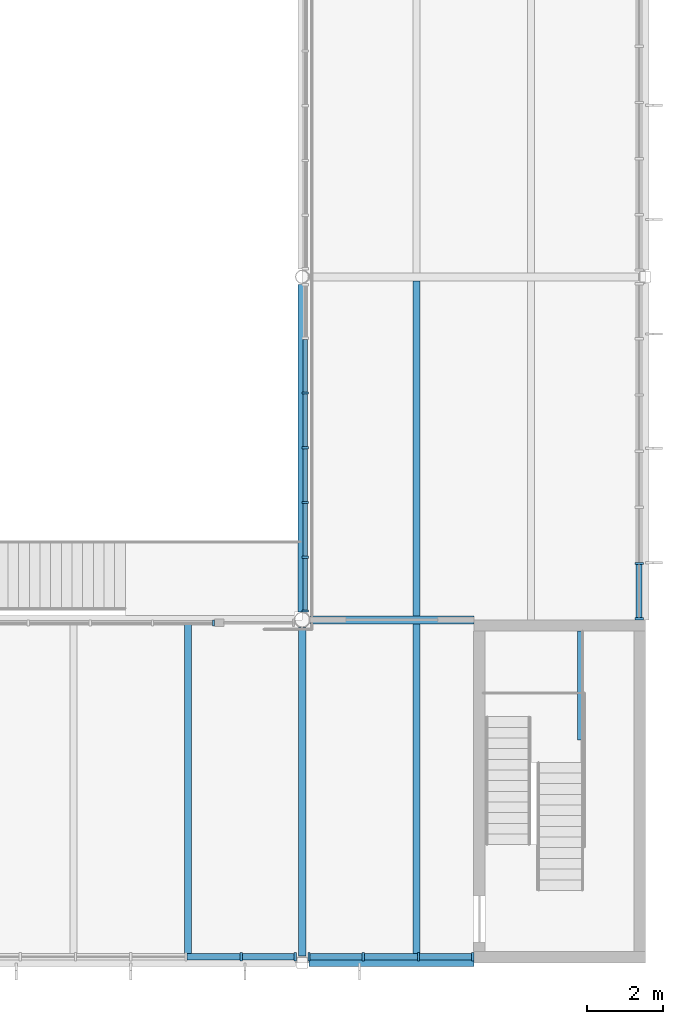
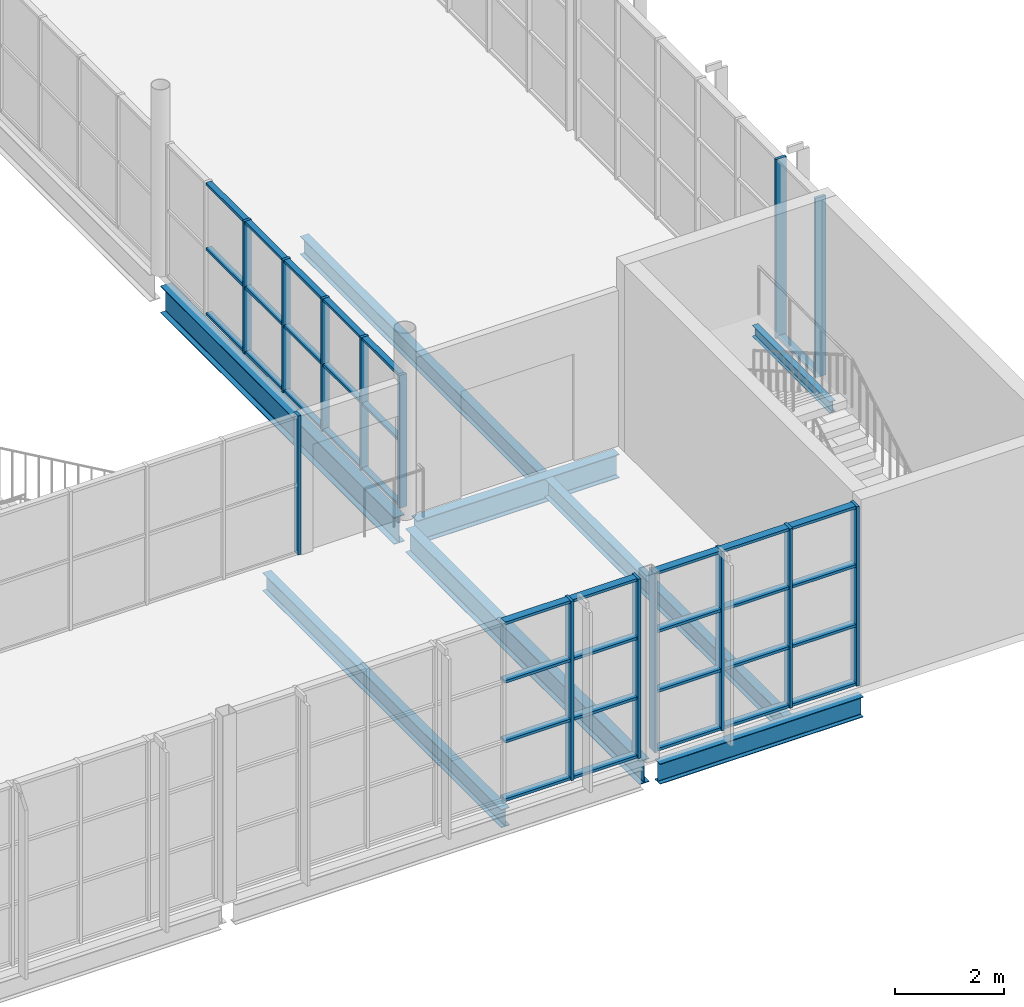
# One storey, part 18 of 57: 50 members, 8 beams, 5 elements without a shape of their own.
"""IFC4 building model written with IfcOpenShell, lengths in metres."""

import ifcopenshell
import ifcopenshell.guid

model = None  # the IFC model being written
_history = None  # IfcOwnerHistory: only IFC2X3 demands one
_inside = {}  # id of a spatial element -> (the spatial element, [elements in it])
_under = {}  # id of a project, library or spatial element -> (it, [spatial elements below it])
_declared = {}  # id of a project -> (the project, [libraries it declares])
_typed = {}  # id of a type object -> (the type object, [elements of that type])
_made_of = {}  # id of a material, layer set ... -> (it, [elements and type objects made of it])


def new_model(schema):
    """Start an empty IFC model of exactly this schema.

    Asked for "IFC4X3", IfcOpenShell would pick the latest addendum, in which some entities
    have other attributes; the version numbers below select the first issue.
    IFC2X3 requires an IfcOwnerHistory on every rooted entity: one is made here for all.
    """
    global model, _history
    if schema == "IFC4X3":
        model = ifcopenshell.file(schema_version=(4, 3, 0, 0))
    else:
        model = ifcopenshell.file(schema=schema)
    _inside.clear()
    _under.clear()
    _declared.clear()
    _typed.clear()
    _made_of.clear()
    _history = None
    if model.schema == "IFC2X3":
        org = make("IfcOrganization", Name="unknown")
        user = make(
            "IfcPersonAndOrganization",
            ThePerson=make("IfcPerson", FamilyName="unknown"),
            TheOrganization=org,
        )
        app = make(
            "IfcApplication",
            ApplicationDeveloper=org,
            Version="unknown",
            ApplicationFullName="unknown",
            ApplicationIdentifier="unknown",
        )
        _history = make(
            "IfcOwnerHistory",
            OwningUser=user,
            OwningApplication=app,
            ChangeAction="ADDED",
            CreationDate=0,
        )
    return model


def make(cls, **values):
    """One entity of the class cls with the attributes given. An attribute that is None is left unset."""
    return model.create_entity(
        cls, **{name: value for name, value in values.items() if value is not None}
    )


def rooted(cls, **values):
    """An entity with a GlobalId (a new one), such as an element, a storey or a relation."""
    return make(cls, GlobalId=ifcopenshell.guid.new(), OwnerHistory=_history, **values)


def si_unit(unit_type, name, prefix=None):
    """IfcSIUnit, for example si_unit("LENGTHUNIT", "METRE", prefix="MILLI")."""
    return make("IfcSIUnit", UnitType=unit_type, Prefix=prefix, Name=name)


def assignment(units):
    """IfcUnitAssignment: the units of a project."""
    return None if units is None else make("IfcUnitAssignment", Units=units)


def point(xyz):
    """IfcCartesianPoint."""
    return None if xyz is None else make("IfcCartesianPoint", Coordinates=xyz)


def direction(xyz):
    """IfcDirection."""
    return None if xyz is None else make("IfcDirection", DirectionRatios=xyz)


def frame(location, z_axis=None, x_axis=None):
    """IfcAxis2Placement3D, a coordinate frame: its origin and axes. An axis left out is left unset."""
    return make(
        "IfcAxis2Placement3D",
        Location=point(location),
        Axis=direction(z_axis),
        RefDirection=direction(x_axis),
    )


def frame_2d(location, x_axis=None):
    """IfcAxis2Placement2D, a coordinate frame in the plane: its origin and x axis."""
    return make(
        "IfcAxis2Placement2D", Location=point(location), RefDirection=direction(x_axis)
    )


def origin():
    """The frame at (0, 0, 0) with its axes left unset."""
    return frame((0.0, 0.0, 0.0))


def origin_2d():
    """The frame at (0, 0) in the plane with its x axis left unset."""
    return frame_2d((0.0, 0.0))


def place(relative_to, where):
    """IfcLocalPlacement: puts the frame where relative to a parent placement (None: the world)."""
    return make(
        "IfcLocalPlacement", PlacementRelTo=relative_to, RelativePlacement=where
    )


def context(
    kind, dimensions, precision=None, world=None, true_north=None, identifier=None
):
    """IfcGeometricRepresentationContext, for example the 3D "Model" context."""
    return make(
        "IfcGeometricRepresentationContext",
        ContextIdentifier=identifier,
        ContextType=kind,
        CoordinateSpaceDimension=dimensions,
        Precision=precision,
        WorldCoordinateSystem=world,
        TrueNorth=true_north,
    )


def subcontext(parent, identifier, kind, view, scale=None):
    """IfcGeometricRepresentationSubContext, for example "Body" below "Model"."""
    return make(
        "IfcGeometricRepresentationSubContext",
        ContextIdentifier=identifier,
        ContextType=kind,
        ParentContext=parent,
        TargetScale=scale,
        TargetView=view,
    )


def project(units=None, contexts=None):
    """IfcProject with its units and contexts."""
    return rooted(
        "IfcProject",
        Name="project",
        RepresentationContexts=contexts,
        UnitsInContext=assignment(units),
    )


def spatial(cls, under=None, at=None, **own):
    """A site, building, storey or space (cls), placed at a placement, below another one or the project."""
    s = rooted(cls, ObjectPlacement=at, **own)
    if under is not None:
        _under.setdefault(under.id(), (under, []))[1].append(s)
    return s


def profile(cls, at=None, kind="AREA", **sizes):
    """A parametric profile (cls). Its sizes go by their IFC names, for example OverallWidth=200.0."""
    return make(cls, ProfileType=kind, Position=at, **sizes)


def rectangle(**sizes):
    """IfcRectangleProfileDef."""
    return profile("IfcRectangleProfileDef", **sizes)


def i_section(**sizes):
    """IfcIShapeProfileDef."""
    return profile("IfcIShapeProfileDef", **sizes)


def extrude(swept, where, along, depth):
    """IfcExtrudedAreaSolid: the profile swept, set in the frame where, extruded along a direction by depth."""
    return make(
        "IfcExtrudedAreaSolid",
        SweptArea=swept,
        Position=where,
        ExtrudedDirection=direction(along),
        Depth=depth,
    )


def shape(context_of_items, identifier, shape_type, items):
    """IfcShapeRepresentation: the items that make up one representation, for example the "Body"."""
    return make(
        "IfcShapeRepresentation",
        ContextOfItems=context_of_items,
        RepresentationIdentifier=identifier,
        RepresentationType=shape_type,
        Items=items,
    )


def material(Name=None, Category=None):
    """IfcMaterial."""
    return make("IfcMaterial", Name=Name, Category=Category)


def layer(
    of_material, thickness, ventilated=None, Name=None, Category=None, Priority=None
):
    """IfcMaterialLayer: one layer of a wall or slab, of a material (None: an air gap)."""
    return make(
        "IfcMaterialLayer",
        Material=of_material,
        LayerThickness=thickness,
        IsVentilated=ventilated,
        Name=Name,
        Category=Category,
        Priority=Priority,
    )


def layer_set(layers, Name=None):
    """IfcMaterialLayerSet."""
    return make("IfcMaterialLayerSet", MaterialLayers=layers, LayerSetName=Name)


def material_profile(
    of_material, cross_section, Name=None, Category=None, Priority=None
):
    """IfcMaterialProfile: a cross section and its material."""
    return make(
        "IfcMaterialProfile",
        Name=Name,
        Material=of_material,
        Profile=cross_section,
        Priority=Priority,
        Category=Category,
    )


def profile_set(profiles, Name=None, composite=None):
    """IfcMaterialProfileSet."""
    return make(
        "IfcMaterialProfileSet",
        Name=Name,
        MaterialProfiles=profiles,
        CompositeProfile=composite,
    )


def made_of(thing, what):
    """Note that an element or type object is made of a material, layer set ...; save() writes the relation."""
    if what is not None:
        _made_of.setdefault(what.id(), (what, []))[1].append(thing)
    return thing


def type_object(cls, material=None, **own):
    """A type object (cls), such as IfcWallType, which elements share."""
    return made_of(rooted(cls, **own), material)


def element(
    cls,
    number,
    at=None,
    inside=None,
    cuts=None,
    type_object=None,
    material=None,
    context=None,
    identifier="Body",
    shape_type=None,
    held_by="IfcProductDefinitionShape",
    body=None,
    shapes=None,
    **own,
):
    """One element of the class cls, such as IfcWall. Its Tag is "e" and its number.

    at: its placement. inside: the storey or other place that contains it. cuts: it is an
    opening in that element (IfcRelVoidsElement). A single representation is given by context,
    identifier, shape_type and body (its items); several are given by shapes. held_by: the class
    of the entity that holds the representations. save() writes the other relations.
    """
    e = rooted(cls, Tag="e%d" % number, ObjectPlacement=at, **own)
    if body is not None:
        shapes = [shape(context, identifier, shape_type, body)]
    if shapes is not None:
        e.Representation = make(held_by, Representations=shapes)
    if inside is not None:
        _inside.setdefault(inside.id(), (inside, []))[1].append(e)
    if cuts is not None:
        rooted(
            "IfcRelVoidsElement", RelatingBuildingElement=cuts, RelatedOpeningElement=e
        )
    if type_object is not None:
        _typed.setdefault(type_object.id(), (type_object, []))[1].append(e)
    return made_of(e, material)


def aggregate(whole, parts):
    """IfcRelAggregates: a whole, such as a stair, and the parts it consists of."""
    return rooted("IfcRelAggregates", RelatingObject=whole, RelatedObjects=parts)


def save(model, path):
    """Write the relations noted so far, then the file.

    IfcRelAggregates (storeys below a building ...), IfcRelContainedInSpatialStructure (elements
    in a storey), IfcRelDefinesByType, IfcRelAssociatesMaterial and IfcRelDeclares: one each for
    every whole, place, type object, material and project.
    """
    for whole, parts in _under.values():
        aggregate(whole, parts)
    for where, things in _inside.values():
        rooted(
            "IfcRelContainedInSpatialStructure",
            RelatedElements=things,
            RelatingStructure=where,
        )
    for kind, things in _typed.values():
        rooted("IfcRelDefinesByType", RelatedObjects=things, RelatingType=kind)
    for what, things in _made_of.values():
        rooted("IfcRelAssociatesMaterial", RelatedObjects=things, RelatingMaterial=what)
    for by, libraries in _declared.values():
        rooted("IfcRelDeclares", RelatingContext=by, RelatedDefinitions=libraries)
    model.write(path)


model = new_model("IFC4")

# Units and contexts
model_context = context("Model", 3, precision=1e-05, world=origin(), true_north=direction((0.0, 1.0)))
body_context = subcontext(model_context, "Body", "Model", "MODEL_VIEW")
ifc_project = project(units=[si_unit("LENGTHUNIT", "METRE"), si_unit("AREAUNIT", "SQUARE_METRE"), si_unit("VOLUMEUNIT", "CUBIC_METRE"), si_unit("PLANEANGLEUNIT", "RADIAN"), si_unit("MASSUNIT", "GRAM", prefix="KILO")], contexts=[model_context])

# Site, building, storey
site_placement = place(None, origin())
site = spatial("IfcSite", under=ifc_project, at=site_placement, CompositionType="ELEMENT")
building_placement = place(site_placement, origin())
building = spatial("IfcBuilding", under=site, at=building_placement, Name="Halyard Row Museum", CompositionType="ELEMENT")
storey_placement = place(building_placement, frame((0.0, 0.0, 5.0)))
storey = spatial("IfcBuildingStorey", under=building, at=storey_placement, Name="L01", CompositionType="ELEMENT", Elevation=5.0)

# Curtain wall, members
ifc_material_1 = material(Name="Double glazed unit, low-emissivity", Category="glass")
ifc_layer_1 = layer(ifc_material_1, 0.219970703125)
ifc_layer_set_1 = layer_set([ifc_layer_1], Name="Double glazed unit, low-emissivity")
curtain_wall_type_1 = type_object("IfcCurtainWallType", Name="Curtain wall unitised 220 deep", PredefinedType="NOTDEFINED", material=ifc_layer_set_1)
curtain_wall_1_placement = place(storey_placement, origin())
curtain_wall_1 = element("IfcCurtainWall", 1, at=curtain_wall_1_placement, inside=storey, type_object=curtain_wall_type_1, Name="Curtain wall CW020", PredefinedType="NOTDEFINED")
ifc_material_2 = material(Name="Powder-coated aluminium section", Category="aluminium")
ifc_material_profile_1 = material_profile(ifc_material_2, rectangle(XDim=0.219970703125, YDim=0.06005859375, at=origin_2d()), Name="220x60 mullion")
ifc_profile_set_1 = profile_set([ifc_material_profile_1], Name="Powder-coated aluminium section")
member_type_1 = type_object("IfcMemberType", Name="Curtain wall mullion CM3 60 x 220", PredefinedType="MULLION", material=ifc_profile_set_1)
member_1_placement = place(storey_placement, frame((107.840087890625, 9.030029296875, 0.0), z_axis=(0.0, 0.0, 1.0), x_axis=(-1.0, 0.0, 0.0)))
member_1 = element("IfcMember", 2, at=member_1_placement, type_object=member_type_1, Name="CW020 mullion 1", PredefinedType="MULLION", context=body_context, shape_type="SweptSolid", body=[
    extrude(rectangle(XDim=0.219970703125, YDim=0.06005859375, at=origin_2d()), origin(), (0.0, 0.0, 1.0), 4.034912109375),
])
member_2_placement = place(storey_placement, frame((107.840087890625, 10.47509765625, 0.0), z_axis=(0.0, 0.0, 1.0), x_axis=(-1.0, 0.0, 0.0)))
member_2 = element("IfcMember", 3, at=member_2_placement, type_object=member_type_1, Name="CW020 mullion 2", PredefinedType="MULLION", context=body_context, shape_type="SweptSolid", body=[
    extrude(rectangle(XDim=0.219970703125, YDim=0.06005859375, at=origin_2d()), origin(), (0.0, 0.0, 1.0), 4.034912109375),
])

curtain_wall_2_placement = place(storey_placement, origin())
curtain_wall_2 = element("IfcCurtainWall", 4, at=curtain_wall_2_placement, inside=storey, type_object=curtain_wall_type_1, Name="Curtain wall CW026", PredefinedType="NOTDEFINED")
member_3_placement = place(storey_placement, frame((97.39990234375, 0.159912109375, 0.0), z_axis=(0.0, 0.0, 1.0), x_axis=(0.0, 1.0, 0.0)))
member_3 = element("IfcMember", 5, at=member_3_placement, type_object=member_type_1, Name="CW026 mullion 6", PredefinedType="MULLION", context=body_context, shape_type="SweptSolid", body=[
    extrude(rectangle(XDim=0.219970703125, YDim=0.06005859375, at=origin_2d()), origin(), (0.0, 0.0, 1.0), 4.034912109375),
])
member_4_placement = place(storey_placement, frame((98.820068359375, 0.159912109375, 0.0), z_axis=(0.0, 0.0, 1.0), x_axis=(0.0, 1.0, 0.0)))
member_4 = element("IfcMember", 6, at=member_4_placement, type_object=member_type_1, Name="CW026 mullion 7", PredefinedType="MULLION", context=body_context, shape_type="SweptSolid", body=[
    extrude(rectangle(XDim=0.219970703125, YDim=0.06005859375, at=origin_2d()), origin(), (0.0, 0.0, 1.0), 4.034912109375),
])

curtain_wall_3_placement = place(storey_placement, origin())
curtain_wall_3 = element("IfcCurtainWall", 7, at=curtain_wall_3_placement, inside=storey, type_object=curtain_wall_type_1, Name="Curtain wall CW027", PredefinedType="NOTDEFINED")
member_5_placement = place(storey_placement, frame((99.179931640625, 0.159912109375, 0.0), z_axis=(0.0, 0.0, 1.0), x_axis=(0.0, 1.0, 0.0)))
member_5 = element("IfcMember", 8, at=member_5_placement, type_object=member_type_1, Name="CW027 mullion 1", PredefinedType="MULLION", context=body_context, shape_type="SweptSolid", body=[
    extrude(rectangle(XDim=0.219970703125, YDim=0.06005859375, at=origin_2d()), origin(), (0.0, 0.0, 1.0), 4.034912109375),
])
member_6_placement = place(storey_placement, frame((100.60009765625, 0.159912109375, 0.0), z_axis=(0.0, 0.0, 1.0), x_axis=(0.0, 1.0, 0.0)))
member_6 = element("IfcMember", 9, at=member_6_placement, type_object=member_type_1, Name="CW027 mullion 2", PredefinedType="MULLION", context=body_context, shape_type="SweptSolid", body=[
    extrude(rectangle(XDim=0.219970703125, YDim=0.06005859375, at=origin_2d()), origin(), (0.0, 0.0, 1.0), 4.034912109375),
])
member_7_placement = place(storey_placement, frame((102.050048828125, 0.159912109375, 0.0), z_axis=(0.0, 0.0, 1.0), x_axis=(0.0, 1.0, 0.0)))
member_7 = element("IfcMember", 10, at=member_7_placement, type_object=member_type_1, Name="CW027 mullion 3", PredefinedType="MULLION", context=body_context, shape_type="SweptSolid", body=[
    extrude(rectangle(XDim=0.219970703125, YDim=0.06005859375, at=origin_2d()), origin(), (0.0, 0.0, 1.0), 4.034912109375),
])
member_8_placement = place(storey_placement, frame((103.469970703125, 0.159912109375, 0.0), z_axis=(0.0, 0.0, 1.0), x_axis=(0.0, 1.0, 0.0)))
member_8 = element("IfcMember", 11, at=member_8_placement, type_object=member_type_1, Name="CW027 mullion 4", PredefinedType="MULLION", context=body_context, shape_type="SweptSolid", body=[
    extrude(rectangle(XDim=0.219970703125, YDim=0.06005859375, at=origin_2d()), origin(), (0.0, 0.0, 1.0), 4.034912109375),
])

# Curtain wall, member
ifc_material_3 = material(Name="Fire-resisting laminated glazing", Category="glass")
ifc_layer_2 = layer(ifc_material_3, 0.159912109375)
ifc_layer_set_2 = layer_set([ifc_layer_2], Name="Fire-resisting laminated glazing")
curtain_wall_type_2 = type_object("IfcCurtainWallType", Name="Curtain wall atrium screen 160 deep", PredefinedType="NOTDEFINED", material=ifc_layer_set_2)
curtain_wall_4_placement = place(storey_placement, origin())
curtain_wall_4 = element("IfcCurtainWall", 12, at=curtain_wall_4_placement, inside=storey, type_object=curtain_wall_type_2, Name="Curtain wall CW077", PredefinedType="NOTDEFINED")
ifc_material_4 = material(Name="Powder-coated aluminium section", Category="aluminium")
ifc_material_profile_2 = material_profile(ifc_material_4, rectangle(XDim=0.159912109375, YDim=0.06005859375, at=origin_2d()), Name="160x60 mullion")
ifc_profile_set_2 = profile_set([ifc_material_profile_2], Name="Powder-coated aluminium section")
member_type_2 = type_object("IfcMemberType", Name="Curtain wall mullion CM5 60 x 160", PredefinedType="MULLION", material=ifc_profile_set_2)
member_9_placement = place(storey_placement, frame((96.669921875, 8.919921875, 0.0), z_axis=(0.0, 0.0, 1.0), x_axis=(0.0, 1.0, 0.0)))
member_9 = element("IfcMember", 13, at=member_9_placement, type_object=member_type_2, Name="CW077 mullion 5", PredefinedType="MULLION", context=body_context, shape_type="SweptSolid", body=[
    extrude(rectangle(XDim=0.159912109375, YDim=0.06005859375, at=origin_2d()), origin(), (0.0, 0.0, 1.0), 3.12451171875),
])
aggregate(curtain_wall_4, [member_9])

# Curtain wall, members
curtain_wall_5_placement = place(storey_placement, origin())
curtain_wall_5 = element("IfcCurtainWall", 14, at=curtain_wall_5_placement, inside=storey, type_object=curtain_wall_type_2, Name="Curtain wall CW078", PredefinedType="NOTDEFINED")
member_10_placement = place(storey_placement, frame((99.080078125, 9.233154296875, 0.0), z_axis=(0.0, 0.0, 1.0), x_axis=(-1.0, 0.0, 0.0)))
member_10 = element("IfcMember", 15, at=member_10_placement, type_object=member_type_2, Name="CW078 mullion 1", PredefinedType="MULLION", context=body_context, shape_type="SweptSolid", body=[
    extrude(rectangle(XDim=0.159912109375, YDim=0.06005859375, at=origin_2d()), origin(), (0.0, 0.0, 1.0), 2.985107421875),
])
member_11_placement = place(storey_placement, frame((99.080078125, 10.6396484375, 0.0), z_axis=(0.0, 0.0, 1.0), x_axis=(-1.0, 0.0, 0.0)))
member_11 = element("IfcMember", 16, at=member_11_placement, type_object=member_type_2, Name="CW078 mullion 2", PredefinedType="MULLION", context=body_context, shape_type="SweptSolid", body=[
    extrude(rectangle(XDim=0.159912109375, YDim=0.06005859375, at=origin_2d()), origin(), (0.0, 0.0, 1.0), 2.985107421875),
])
member_12_placement = place(storey_placement, frame((99.080078125, 12.076171875, 0.0), z_axis=(0.0, 0.0, 1.0), x_axis=(-1.0, 0.0, 0.0)))
member_12 = element("IfcMember", 17, at=member_12_placement, type_object=member_type_2, Name="CW078 mullion 3", PredefinedType="MULLION", context=body_context, shape_type="SweptSolid", body=[
    extrude(rectangle(XDim=0.159912109375, YDim=0.06005859375, at=origin_2d()), origin(), (0.0, 0.0, 1.0), 2.985107421875),
])
member_13_placement = place(storey_placement, frame((99.080078125, 13.5126953125, 0.0), z_axis=(0.0, 0.0, 1.0), x_axis=(-1.0, 0.0, 0.0)))
member_13 = element("IfcMember", 18, at=member_13_placement, type_object=member_type_2, Name="CW078 mullion 4", PredefinedType="MULLION", context=body_context, shape_type="SweptSolid", body=[
    extrude(rectangle(XDim=0.159912109375, YDim=0.06005859375, at=origin_2d()), origin(), (0.0, 0.0, 1.0), 2.985107421875),
])
member_14_placement = place(storey_placement, frame((99.080078125, 14.94921875, 0.0), z_axis=(0.0, 0.0, 1.0), x_axis=(-1.0, 0.0, 0.0)))
member_14 = element("IfcMember", 19, at=member_14_placement, type_object=member_type_2, Name="CW078 mullion 5", PredefinedType="MULLION", context=body_context, shape_type="SweptSolid", body=[
    extrude(rectangle(XDim=0.159912109375, YDim=0.06005859375, at=origin_2d()), origin(), (0.0, 0.0, 1.0), 2.985107421875),
])

# Member
ifc_material_5 = material(Name="Powder-coated aluminium section", Category="aluminium")
ifc_material_profile_3 = material_profile(ifc_material_5, rectangle(XDim=0.159912109375, YDim=0.06005859375, at=origin_2d()), Name="160x60 transom")
ifc_profile_set_3 = profile_set([ifc_material_profile_3], Name="Powder-coated aluminium section")
member_type_3 = type_object("IfcMemberType", Name="Curtain wall transom CT3 60 x 160", PredefinedType="USERDEFINED", material=ifc_profile_set_3)
member_15_placement = place(storey_placement, frame((107.840087890625, 9.06005859375, 0.030029296875), z_axis=(0.0, 1.0, 0.0), x_axis=(-1.0, 0.0, 0.0)))
member_15 = element("IfcMember", 20, at=member_15_placement, type_object=member_type_3, Name="CW020 transom 1.1", ObjectType="TRANSOM", PredefinedType="USERDEFINED", context=body_context, shape_type="SweptSolid", body=[
    extrude(rectangle(XDim=0.159912109375, YDim=0.06005859375, at=origin_2d()), origin(), (0.0, 0.0, 1.0), 1.385009765625),
])

aggregate(curtain_wall_1, [member_1, member_2, member_15])

member_16_placement = place(storey_placement, frame((95.97998046875, 0.159912109375, 0.030029296875), z_axis=(1.0, 0.0, 0.0), x_axis=(0.0, 1.0, 0.0)))
member_16 = element("IfcMember", 21, at=member_16_placement, type_object=member_type_3, Name="CW026 transom 5.1", ObjectType="TRANSOM", PredefinedType="USERDEFINED", context=body_context, shape_type="SweptSolid", body=[
    extrude(rectangle(XDim=0.159912109375, YDim=0.06005859375, at=origin_2d()), origin(), (0.0, 0.0, 1.0), 1.39013671875),
])

member_17_placement = place(storey_placement, frame((95.97998046875, 0.159912109375, 1.344970703125), z_axis=(1.0, 0.0, 0.0), x_axis=(0.0, 1.0, 0.0)))
member_17 = element("IfcMember", 22, at=member_17_placement, type_object=member_type_3, Name="CW026 transom 5.2", ObjectType="TRANSOM", PredefinedType="USERDEFINED", context=body_context, shape_type="SweptSolid", body=[
    extrude(rectangle(XDim=0.159912109375, YDim=0.06005859375, at=origin_2d()), origin(), (0.0, 0.0, 1.0), 1.39013671875),
])

member_18_placement = place(storey_placement, frame((95.97998046875, 0.159912109375, 2.68994140625), z_axis=(1.0, 0.0, 0.0), x_axis=(0.0, 1.0, 0.0)))
member_18 = element("IfcMember", 23, at=member_18_placement, type_object=member_type_3, Name="CW026 transom 5.3", ObjectType="TRANSOM", PredefinedType="USERDEFINED", context=body_context, shape_type="SweptSolid", body=[
    extrude(rectangle(XDim=0.159912109375, YDim=0.06005859375, at=origin_2d()), origin(), (0.0, 0.0, 1.0), 1.39013671875),
])

member_19_placement = place(storey_placement, frame((95.97998046875, 0.159912109375, 4.0048828125), z_axis=(1.0, 0.0, 0.0), x_axis=(0.0, 1.0, 0.0)))
member_19 = element("IfcMember", 24, at=member_19_placement, type_object=member_type_3, Name="CW026 transom 5.4", ObjectType="TRANSOM", PredefinedType="USERDEFINED", context=body_context, shape_type="SweptSolid", body=[
    extrude(rectangle(XDim=0.159912109375, YDim=0.06005859375, at=origin_2d()), origin(), (0.0, 0.0, 1.0), 1.39013671875),
])

member_20_placement = place(storey_placement, frame((97.429931640625, 0.159912109375, 0.030029296875), z_axis=(1.0, 0.0, 0.0), x_axis=(0.0, 1.0, 0.0)))
member_20 = element("IfcMember", 25, at=member_20_placement, type_object=member_type_3, Name="CW026 transom 6.1", ObjectType="TRANSOM", PredefinedType="USERDEFINED", context=body_context, shape_type="SweptSolid", body=[
    extrude(rectangle(XDim=0.159912109375, YDim=0.06005859375, at=origin_2d()), origin(), (0.0, 0.0, 1.0), 1.360107421875),
])

member_21_placement = place(storey_placement, frame((97.429931640625, 0.159912109375, 1.344970703125), z_axis=(1.0, 0.0, 0.0), x_axis=(0.0, 1.0, 0.0)))
member_21 = element("IfcMember", 26, at=member_21_placement, type_object=member_type_3, Name="CW026 transom 6.2", ObjectType="TRANSOM", PredefinedType="USERDEFINED", context=body_context, shape_type="SweptSolid", body=[
    extrude(rectangle(XDim=0.159912109375, YDim=0.06005859375, at=origin_2d()), origin(), (0.0, 0.0, 1.0), 1.360107421875),
])

member_22_placement = place(storey_placement, frame((97.429931640625, 0.159912109375, 2.68994140625), z_axis=(1.0, 0.0, 0.0), x_axis=(0.0, 1.0, 0.0)))
member_22 = element("IfcMember", 27, at=member_22_placement, type_object=member_type_3, Name="CW026 transom 6.3", ObjectType="TRANSOM", PredefinedType="USERDEFINED", context=body_context, shape_type="SweptSolid", body=[
    extrude(rectangle(XDim=0.159912109375, YDim=0.06005859375, at=origin_2d()), origin(), (0.0, 0.0, 1.0), 1.360107421875),
])

member_23_placement = place(storey_placement, frame((97.429931640625, 0.159912109375, 4.0048828125), z_axis=(1.0, 0.0, 0.0), x_axis=(0.0, 1.0, 0.0)))
member_23 = element("IfcMember", 28, at=member_23_placement, type_object=member_type_3, Name="CW026 transom 6.4", ObjectType="TRANSOM", PredefinedType="USERDEFINED", context=body_context, shape_type="SweptSolid", body=[
    extrude(rectangle(XDim=0.159912109375, YDim=0.06005859375, at=origin_2d()), origin(), (0.0, 0.0, 1.0), 1.360107421875),
])

aggregate(curtain_wall_2, [member_3, member_4, member_16, member_17, member_18, member_19, member_20, member_21, member_22, member_23])

member_24_placement = place(storey_placement, frame((99.2099609375, 0.159912109375, 0.030029296875), z_axis=(1.0, 0.0, 0.0), x_axis=(0.0, 1.0, 0.0)))
member_24 = element("IfcMember", 29, at=member_24_placement, type_object=member_type_3, Name="CW027 transom 1.1", ObjectType="TRANSOM", PredefinedType="USERDEFINED", context=body_context, shape_type="SweptSolid", body=[
    extrude(rectangle(XDim=0.159912109375, YDim=0.06005859375, at=origin_2d()), origin(), (0.0, 0.0, 1.0), 1.360107421875),
])

member_25_placement = place(storey_placement, frame((99.2099609375, 0.159912109375, 1.344970703125), z_axis=(1.0, 0.0, 0.0), x_axis=(0.0, 1.0, 0.0)))
member_25 = element("IfcMember", 30, at=member_25_placement, type_object=member_type_3, Name="CW027 transom 1.2", ObjectType="TRANSOM", PredefinedType="USERDEFINED", context=body_context, shape_type="SweptSolid", body=[
    extrude(rectangle(XDim=0.159912109375, YDim=0.06005859375, at=origin_2d()), origin(), (0.0, 0.0, 1.0), 1.360107421875),
])

member_26_placement = place(storey_placement, frame((99.2099609375, 0.159912109375, 2.68994140625), z_axis=(1.0, 0.0, 0.0), x_axis=(0.0, 1.0, 0.0)))
member_26 = element("IfcMember", 31, at=member_26_placement, type_object=member_type_3, Name="CW027 transom 1.3", ObjectType="TRANSOM", PredefinedType="USERDEFINED", context=body_context, shape_type="SweptSolid", body=[
    extrude(rectangle(XDim=0.159912109375, YDim=0.06005859375, at=origin_2d()), origin(), (0.0, 0.0, 1.0), 1.360107421875),
])

member_27_placement = place(storey_placement, frame((99.2099609375, 0.159912109375, 4.0048828125), z_axis=(1.0, 0.0, 0.0), x_axis=(0.0, 1.0, 0.0)))
member_27 = element("IfcMember", 32, at=member_27_placement, type_object=member_type_3, Name="CW027 transom 1.4", ObjectType="TRANSOM", PredefinedType="USERDEFINED", context=body_context, shape_type="SweptSolid", body=[
    extrude(rectangle(XDim=0.159912109375, YDim=0.06005859375, at=origin_2d()), origin(), (0.0, 0.0, 1.0), 1.360107421875),
])

member_28_placement = place(storey_placement, frame((100.6298828125, 0.159912109375, 0.030029296875), z_axis=(1.0, 0.0, 0.0), x_axis=(0.0, 1.0, 0.0)))
member_28 = element("IfcMember", 33, at=member_28_placement, type_object=member_type_3, Name="CW027 transom 2.1", ObjectType="TRANSOM", PredefinedType="USERDEFINED", context=body_context, shape_type="SweptSolid", body=[
    extrude(rectangle(XDim=0.159912109375, YDim=0.06005859375, at=origin_2d()), origin(), (0.0, 0.0, 1.0), 1.39013671875),
])

member_29_placement = place(storey_placement, frame((100.6298828125, 0.159912109375, 1.344970703125), z_axis=(1.0, 0.0, 0.0), x_axis=(0.0, 1.0, 0.0)))
member_29 = element("IfcMember", 34, at=member_29_placement, type_object=member_type_3, Name="CW027 transom 2.2", ObjectType="TRANSOM", PredefinedType="USERDEFINED", context=body_context, shape_type="SweptSolid", body=[
    extrude(rectangle(XDim=0.159912109375, YDim=0.06005859375, at=origin_2d()), origin(), (0.0, 0.0, 1.0), 1.39013671875),
])

member_30_placement = place(storey_placement, frame((100.6298828125, 0.159912109375, 2.68994140625), z_axis=(1.0, 0.0, 0.0), x_axis=(0.0, 1.0, 0.0)))
member_30 = element("IfcMember", 35, at=member_30_placement, type_object=member_type_3, Name="CW027 transom 2.3", ObjectType="TRANSOM", PredefinedType="USERDEFINED", context=body_context, shape_type="SweptSolid", body=[
    extrude(rectangle(XDim=0.159912109375, YDim=0.06005859375, at=origin_2d()), origin(), (0.0, 0.0, 1.0), 1.39013671875),
])

member_31_placement = place(storey_placement, frame((100.6298828125, 0.159912109375, 4.0048828125), z_axis=(1.0, 0.0, 0.0), x_axis=(0.0, 1.0, 0.0)))
member_31 = element("IfcMember", 36, at=member_31_placement, type_object=member_type_3, Name="CW027 transom 2.4", ObjectType="TRANSOM", PredefinedType="USERDEFINED", context=body_context, shape_type="SweptSolid", body=[
    extrude(rectangle(XDim=0.159912109375, YDim=0.06005859375, at=origin_2d()), origin(), (0.0, 0.0, 1.0), 1.39013671875),
])

member_32_placement = place(storey_placement, frame((102.080078125, 0.159912109375, 0.030029296875), z_axis=(1.0, 0.0, 0.0), x_axis=(0.0, 1.0, 0.0)))
member_32 = element("IfcMember", 37, at=member_32_placement, type_object=member_type_3, Name="CW027 transom 3.1", ObjectType="TRANSOM", PredefinedType="USERDEFINED", context=body_context, shape_type="SweptSolid", body=[
    extrude(rectangle(XDim=0.159912109375, YDim=0.06005859375, at=origin_2d()), origin(), (0.0, 0.0, 1.0), 1.35986328125),
])

member_33_placement = place(storey_placement, frame((102.080078125, 0.159912109375, 1.344970703125), z_axis=(1.0, 0.0, 0.0), x_axis=(0.0, 1.0, 0.0)))
member_33 = element("IfcMember", 38, at=member_33_placement, type_object=member_type_3, Name="CW027 transom 3.2", ObjectType="TRANSOM", PredefinedType="USERDEFINED", context=body_context, shape_type="SweptSolid", body=[
    extrude(rectangle(XDim=0.159912109375, YDim=0.06005859375, at=origin_2d()), origin(), (0.0, 0.0, 1.0), 1.35986328125),
])

member_34_placement = place(storey_placement, frame((102.080078125, 0.159912109375, 2.68994140625), z_axis=(1.0, 0.0, 0.0), x_axis=(0.0, 1.0, 0.0)))
member_34 = element("IfcMember", 39, at=member_34_placement, type_object=member_type_3, Name="CW027 transom 3.3", ObjectType="TRANSOM", PredefinedType="USERDEFINED", context=body_context, shape_type="SweptSolid", body=[
    extrude(rectangle(XDim=0.159912109375, YDim=0.06005859375, at=origin_2d()), origin(), (0.0, 0.0, 1.0), 1.35986328125),
])

member_35_placement = place(storey_placement, frame((102.080078125, 0.159912109375, 4.0048828125), z_axis=(1.0, 0.0, 0.0), x_axis=(0.0, 1.0, 0.0)))
member_35 = element("IfcMember", 40, at=member_35_placement, type_object=member_type_3, Name="CW027 transom 3.4", ObjectType="TRANSOM", PredefinedType="USERDEFINED", context=body_context, shape_type="SweptSolid", body=[
    extrude(rectangle(XDim=0.159912109375, YDim=0.06005859375, at=origin_2d()), origin(), (0.0, 0.0, 1.0), 1.35986328125),
])

aggregate(curtain_wall_3, [member_5, member_6, member_7, member_8, member_24, member_25, member_26, member_27, member_28, member_29, member_30, member_31, member_32, member_33, member_34, member_35])

ifc_material_6 = material(Name="Powder-coated aluminium section", Category="aluminium")
ifc_material_profile_4 = material_profile(ifc_material_6, rectangle(XDim=0.1201171875, YDim=0.06005859375, at=origin_2d()), Name="120x60 transom")
ifc_profile_set_4 = profile_set([ifc_material_profile_4], Name="Powder-coated aluminium section")
member_type_4 = type_object("IfcMemberType", Name="Curtain wall transom CT5 60 x 120", PredefinedType="USERDEFINED", material=ifc_profile_set_4)
member_36_placement = place(storey_placement, frame((99.080078125, 9.26318359375, 0.030029296875), z_axis=(0.0, 1.0, 0.0), x_axis=(-1.0, 0.0, 0.0)))
member_36 = element("IfcMember", 41, at=member_36_placement, type_object=member_type_4, Name="CW078 transom 1.1", ObjectType="TRANSOM", PredefinedType="USERDEFINED", context=body_context, shape_type="SweptSolid", body=[
    extrude(rectangle(XDim=0.1201171875, YDim=0.06005859375, at=origin_2d()), origin(), (0.0, 0.0, 1.0), 1.346435546875),
])

member_37_placement = place(storey_placement, frame((99.080078125, 9.26318359375, 1.492431640625), z_axis=(0.0, 1.0, 0.0), x_axis=(-1.0, 0.0, 0.0)))
member_37 = element("IfcMember", 42, at=member_37_placement, type_object=member_type_4, Name="CW078 transom 1.2", ObjectType="TRANSOM", PredefinedType="USERDEFINED", context=body_context, shape_type="SweptSolid", body=[
    extrude(rectangle(XDim=0.1201171875, YDim=0.06005859375, at=origin_2d()), origin(), (0.0, 0.0, 1.0), 1.346435546875),
])

member_38_placement = place(storey_placement, frame((99.080078125, 9.26318359375, 2.955078125), z_axis=(0.0, 1.0, 0.0), x_axis=(-1.0, 0.0, 0.0)))
member_38 = element("IfcMember", 43, at=member_38_placement, type_object=member_type_4, Name="CW078 transom 1.3", ObjectType="TRANSOM", PredefinedType="USERDEFINED", context=body_context, shape_type="SweptSolid", body=[
    extrude(rectangle(XDim=0.1201171875, YDim=0.06005859375, at=origin_2d()), origin(), (0.0, 0.0, 1.0), 1.346435546875),
])

member_39_placement = place(storey_placement, frame((99.080078125, 10.669677734375, 0.030029296875), z_axis=(0.0, 1.0, 0.0), x_axis=(-1.0, 0.0, 0.0)))
member_39 = element("IfcMember", 44, at=member_39_placement, type_object=member_type_4, Name="CW078 transom 2.1", ObjectType="TRANSOM", PredefinedType="USERDEFINED", context=body_context, shape_type="SweptSolid", body=[
    extrude(rectangle(XDim=0.1201171875, YDim=0.06005859375, at=origin_2d()), origin(), (0.0, 0.0, 1.0), 1.37646484375),
])

member_40_placement = place(storey_placement, frame((99.080078125, 10.669677734375, 1.492431640625), z_axis=(0.0, 1.0, 0.0), x_axis=(-1.0, 0.0, 0.0)))
member_40 = element("IfcMember", 45, at=member_40_placement, type_object=member_type_4, Name="CW078 transom 2.2", ObjectType="TRANSOM", PredefinedType="USERDEFINED", context=body_context, shape_type="SweptSolid", body=[
    extrude(rectangle(XDim=0.1201171875, YDim=0.06005859375, at=origin_2d()), origin(), (0.0, 0.0, 1.0), 1.37646484375),
])

member_41_placement = place(storey_placement, frame((99.080078125, 10.669677734375, 2.955078125), z_axis=(0.0, 1.0, 0.0), x_axis=(-1.0, 0.0, 0.0)))
member_41 = element("IfcMember", 46, at=member_41_placement, type_object=member_type_4, Name="CW078 transom 2.3", ObjectType="TRANSOM", PredefinedType="USERDEFINED", context=body_context, shape_type="SweptSolid", body=[
    extrude(rectangle(XDim=0.1201171875, YDim=0.06005859375, at=origin_2d()), origin(), (0.0, 0.0, 1.0), 1.37646484375),
])

member_42_placement = place(storey_placement, frame((99.080078125, 12.106201171875, 0.030029296875), z_axis=(0.0, 1.0, 0.0), x_axis=(-1.0, 0.0, 0.0)))
member_42 = element("IfcMember", 47, at=member_42_placement, type_object=member_type_4, Name="CW078 transom 3.1", ObjectType="TRANSOM", PredefinedType="USERDEFINED", context=body_context, shape_type="SweptSolid", body=[
    extrude(rectangle(XDim=0.1201171875, YDim=0.06005859375, at=origin_2d()), origin(), (0.0, 0.0, 1.0), 1.37646484375),
])

member_43_placement = place(storey_placement, frame((99.080078125, 12.106201171875, 1.492431640625), z_axis=(0.0, 1.0, 0.0), x_axis=(-1.0, 0.0, 0.0)))
member_43 = element("IfcMember", 48, at=member_43_placement, type_object=member_type_4, Name="CW078 transom 3.2", ObjectType="TRANSOM", PredefinedType="USERDEFINED", context=body_context, shape_type="SweptSolid", body=[
    extrude(rectangle(XDim=0.1201171875, YDim=0.06005859375, at=origin_2d()), origin(), (0.0, 0.0, 1.0), 1.37646484375),
])

member_44_placement = place(storey_placement, frame((99.080078125, 12.106201171875, 2.955078125), z_axis=(0.0, 1.0, 0.0), x_axis=(-1.0, 0.0, 0.0)))
member_44 = element("IfcMember", 49, at=member_44_placement, type_object=member_type_4, Name="CW078 transom 3.3", ObjectType="TRANSOM", PredefinedType="USERDEFINED", context=body_context, shape_type="SweptSolid", body=[
    extrude(rectangle(XDim=0.1201171875, YDim=0.06005859375, at=origin_2d()), origin(), (0.0, 0.0, 1.0), 1.37646484375),
])

member_45_placement = place(storey_placement, frame((99.080078125, 13.542724609375, 0.030029296875), z_axis=(0.0, 1.0, 0.0), x_axis=(-1.0, 0.0, 0.0)))
member_45 = element("IfcMember", 50, at=member_45_placement, type_object=member_type_4, Name="CW078 transom 4.1", ObjectType="TRANSOM", PredefinedType="USERDEFINED", context=body_context, shape_type="SweptSolid", body=[
    extrude(rectangle(XDim=0.1201171875, YDim=0.06005859375, at=origin_2d()), origin(), (0.0, 0.0, 1.0), 1.37646484375),
])

member_46_placement = place(storey_placement, frame((99.080078125, 13.542724609375, 1.492431640625), z_axis=(0.0, 1.0, 0.0), x_axis=(-1.0, 0.0, 0.0)))
member_46 = element("IfcMember", 51, at=member_46_placement, type_object=member_type_4, Name="CW078 transom 4.2", ObjectType="TRANSOM", PredefinedType="USERDEFINED", context=body_context, shape_type="SweptSolid", body=[
    extrude(rectangle(XDim=0.1201171875, YDim=0.06005859375, at=origin_2d()), origin(), (0.0, 0.0, 1.0), 1.37646484375),
])

member_47_placement = place(storey_placement, frame((99.080078125, 13.542724609375, 2.955078125), z_axis=(0.0, 1.0, 0.0), x_axis=(-1.0, 0.0, 0.0)))
member_47 = element("IfcMember", 52, at=member_47_placement, type_object=member_type_4, Name="CW078 transom 4.3", ObjectType="TRANSOM", PredefinedType="USERDEFINED", context=body_context, shape_type="SweptSolid", body=[
    extrude(rectangle(XDim=0.1201171875, YDim=0.06005859375, at=origin_2d()), origin(), (0.0, 0.0, 1.0), 1.37646484375),
])

member_48_placement = place(storey_placement, frame((99.080078125, 14.979248046875, 0.030029296875), z_axis=(0.0, 1.0, 0.0), x_axis=(-1.0, 0.0, 0.0)))
member_48 = element("IfcMember", 53, at=member_48_placement, type_object=member_type_4, Name="CW078 transom 5.1", ObjectType="TRANSOM", PredefinedType="USERDEFINED", context=body_context, shape_type="SweptSolid", body=[
    extrude(rectangle(XDim=0.1201171875, YDim=0.06005859375, at=origin_2d()), origin(), (0.0, 0.0, 1.0), 1.37646484375),
])

member_49_placement = place(storey_placement, frame((99.080078125, 14.979248046875, 1.492431640625), z_axis=(0.0, 1.0, 0.0), x_axis=(-1.0, 0.0, 0.0)))
member_49 = element("IfcMember", 54, at=member_49_placement, type_object=member_type_4, Name="CW078 transom 5.2", ObjectType="TRANSOM", PredefinedType="USERDEFINED", context=body_context, shape_type="SweptSolid", body=[
    extrude(rectangle(XDim=0.1201171875, YDim=0.06005859375, at=origin_2d()), origin(), (0.0, 0.0, 1.0), 1.37646484375),
])

member_50_placement = place(storey_placement, frame((99.080078125, 14.979248046875, 2.955078125), z_axis=(0.0, 1.0, 0.0), x_axis=(-1.0, 0.0, 0.0)))
member_50 = element("IfcMember", 55, at=member_50_placement, type_object=member_type_4, Name="CW078 transom 5.3", ObjectType="TRANSOM", PredefinedType="USERDEFINED", context=body_context, shape_type="SweptSolid", body=[
    extrude(rectangle(XDim=0.1201171875, YDim=0.06005859375, at=origin_2d()), origin(), (0.0, 0.0, 1.0), 1.37646484375),
])

aggregate(curtain_wall_5, [member_10, member_11, member_12, member_13, member_14, member_36, member_37, member_38, member_39, member_40, member_41, member_42, member_43, member_44, member_45, member_46, member_47, member_48, member_49, member_50])

# Beams
ifc_material_7 = material(Name="Steel Grade 300", Category="steel")
ifc_material_profile_5 = material_profile(ifc_material_7, i_section(OverallWidth=0.18994140625, OverallDepth=0.45751953125, WebThickness=0.009033203125, FlangeThickness=0.014404296875, FilletRadius=0.011474609375, at=origin_2d()), Name="460UB74.6")
ifc_profile_set_5 = profile_set([ifc_material_profile_5], Name="Steel Grade 300")
beam_type_1 = type_object("IfcBeamType", Name="Edge beam 460UB74.6", PredefinedType="BEAM", material=ifc_profile_set_5)
beam_1_placement = place(storey_placement, frame((99.175048828125, 0.0, -0.393798828125), z_axis=(1.0, 0.0, 0.0), x_axis=(0.0, 1.0, 0.0)))
element("IfcBeam", 56, at=beam_1_placement, inside=storey, type_object=beam_type_1, Name="Beam L01-005", PredefinedType="BEAM", context=body_context, shape_type="SweptSolid", body=[
    extrude(i_section(OverallWidth=0.18994140625, OverallDepth=0.45751953125, WebThickness=0.009033203125, FlangeThickness=0.014404296875, FilletRadius=0.011474609375, at=origin_2d()), origin(), (0.0, 0.0, 1.0), 4.324951171875),
])
ifc_material_8 = material(Name="Steel Grade 300", Category="steel")
ifc_material_profile_6 = material_profile(ifc_material_8, i_section(OverallWidth=0.208984375, OverallDepth=0.532958984375, WebThickness=0.01025390625, FlangeThickness=0.015625, FilletRadius=0.013916015625, at=origin_2d()), Name="530UB92.4")
ifc_profile_set_6 = profile_set([ifc_material_profile_6], Name="Steel Grade 300")
beam_type_2 = type_object("IfcBeamType", Name="Girder beam 530UB92.4", PredefinedType="BEAM", material=ifc_profile_set_6)
beam_2_placement = place(storey_placement, frame((99.203125, 9.0, -0.431396484375), z_axis=(1.0, 0.0, 0.0), x_axis=(0.0, 1.0, 0.0)))
element("IfcBeam", 57, at=beam_2_placement, inside=storey, type_object=beam_type_2, Name="Beam L01-010", PredefinedType="BEAM", context=body_context, shape_type="SweptSolid", body=[
    extrude(i_section(OverallWidth=0.208984375, OverallDepth=0.532958984375, WebThickness=0.01025390625, FlangeThickness=0.015625, FilletRadius=0.013916015625, at=origin_2d()), origin(), (0.0, 0.0, 1.0), 4.296875),
])
beam_3_placement = place(storey_placement, frame((99.0, 0.175048828125, -0.431396484375), z_axis=(0.0, 1.0, 0.0), x_axis=(-1.0, 0.0, 0.0)))
element("IfcBeam", 58, at=beam_3_placement, inside=storey, type_object=beam_type_2, Name="Beam L01-075", PredefinedType="BEAM", context=body_context, shape_type="SweptSolid", body=[
    extrude(i_section(OverallWidth=0.208984375, OverallDepth=0.532958984375, WebThickness=0.01025390625, FlangeThickness=0.015625, FilletRadius=0.013916015625, at=origin_2d()), origin(), (0.0, 0.0, 1.0), 8.621826171875),
])
ifc_material_9 = material(Name="Steel Grade 300", Category="steel")
ifc_material_profile_7 = material_profile(ifc_material_9, i_section(OverallWidth=0.1240234375, OverallDepth=0.248046875, WebThickness=0.0048828125, FlangeThickness=0.008056640625, FilletRadius=0.011962890625, at=origin_2d()), Name="250UB25.7")
ifc_profile_set_7 = profile_set([ifc_material_profile_7], Name="Steel Grade 300")
beam_type_3 = type_object("IfcBeamType", Name="Landing trimmer 250UB25.7", PredefinedType="BEAM", material=ifc_profile_set_7)
beam_4_placement = place(storey_placement, frame((106.278076171875, 8.702880859375, 1.77587890625), z_axis=(0.0, -1.0, 0.0), x_axis=(1.0, 0.0, 0.0)))
element("IfcBeam", 59, at=beam_4_placement, inside=storey, type_object=beam_type_3, Name="Landing ledger K2B L01 1", PredefinedType="BEAM", context=body_context, shape_type="SweptSolid", body=[
    extrude(i_section(OverallWidth=0.1240234375, OverallDepth=0.248046875, WebThickness=0.0048828125, FlangeThickness=0.008056640625, FilletRadius=0.011962890625, at=origin_2d()), origin(), (0.0, 0.0, 1.0), 2.852783203125),
])
ifc_material_10 = material(Name="Steel Grade 300", Category="steel")
ifc_material_profile_8 = material_profile(ifc_material_10, i_section(OverallWidth=0.177978515625, OverallDepth=0.406494140625, WebThickness=0.0078125, FlangeThickness=0.0126953125, FilletRadius=0.011474609375, at=origin_2d()), Name="410UB59.7")
ifc_profile_set_8 = profile_set([ifc_material_profile_8], Name="Steel Grade 300")
beam_type_4 = type_object("IfcBeamType", Name="Secondary beam 410UB59.7", PredefinedType="BEAM", material=ifc_profile_set_8)
beam_5_placement = place(storey_placement, frame((96.0, 0.094970703125, -0.3681640625), z_axis=(0.0, 1.0, 0.0), x_axis=(-1.0, 0.0, 0.0)))
element("IfcBeam", 60, at=beam_5_placement, inside=storey, type_object=beam_type_4, Name="Beam L01-091", PredefinedType="BEAM", context=body_context, shape_type="SweptSolid", body=[
    extrude(i_section(OverallWidth=0.177978515625, OverallDepth=0.406494140625, WebThickness=0.0078125, FlangeThickness=0.0126953125, FilletRadius=0.011474609375, at=origin_2d()), origin(), (0.0, 0.0, 1.0), 8.791015625),
])
beam_6_placement = place(storey_placement, frame((102.0, 0.094970703125, -0.3681640625), z_axis=(0.0, 1.0, 0.0), x_axis=(-1.0, 0.0, 0.0)))
element("IfcBeam", 61, at=beam_6_placement, inside=storey, type_object=beam_type_4, Name="Beam L01-092", PredefinedType="BEAM", context=body_context, shape_type="SweptSolid", body=[
    extrude(i_section(OverallWidth=0.177978515625, OverallDepth=0.406494140625, WebThickness=0.0078125, FlangeThickness=0.0126953125, FilletRadius=0.011474609375, at=origin_2d()), origin(), (0.0, 0.0, 1.0), 8.800537109375),
])
beam_7_placement = place(storey_placement, frame((102.0, 9.1044921875, -0.3681640625), z_axis=(0.0, 1.0, 0.0), x_axis=(-1.0, 0.0, 0.0)))
element("IfcBeam", 62, at=beam_7_placement, inside=storey, type_object=beam_type_4, Name="Beam L01-099", PredefinedType="BEAM", context=body_context, shape_type="SweptSolid", body=[
    extrude(i_section(OverallWidth=0.177978515625, OverallDepth=0.406494140625, WebThickness=0.0078125, FlangeThickness=0.0126953125, FilletRadius=0.011474609375, at=origin_2d()), origin(), (0.0, 0.0, 1.0), 8.791015625),
])
ifc_material_11 = material(Name="Steel Grade 300", Category="steel")
ifc_material_profile_9 = material_profile(ifc_material_11, i_section(OverallWidth=0.22802734375, OverallDepth=0.60693359375, WebThickness=0.01123046875, FlangeThickness=0.017333984375, FilletRadius=0.013916015625, at=origin_2d()), Name="610UB113")
ifc_profile_set_9 = profile_set([ifc_material_profile_9], Name="Steel Grade 300")
beam_type_5 = type_object("IfcBeamType", Name="Void edge beam 610UB113", PredefinedType="BEAM", material=ifc_profile_set_9)
beam_8_placement = place(storey_placement, frame((99.0, 9.203125, -0.468505859375), z_axis=(0.0, 1.0, 0.0), x_axis=(-1.0, 0.0, 0.0)))
element("IfcBeam", 63, at=beam_8_placement, inside=storey, type_object=beam_type_5, Name="Beam L01-076", PredefinedType="BEAM", context=body_context, shape_type="SweptSolid", body=[
    extrude(i_section(OverallWidth=0.22802734375, OverallDepth=0.60693359375, WebThickness=0.01123046875, FlangeThickness=0.017333984375, FilletRadius=0.013916015625, at=origin_2d()), origin(), (0.0, 0.0, 1.0), 8.59375),
])

save(model, "model.ifc")
